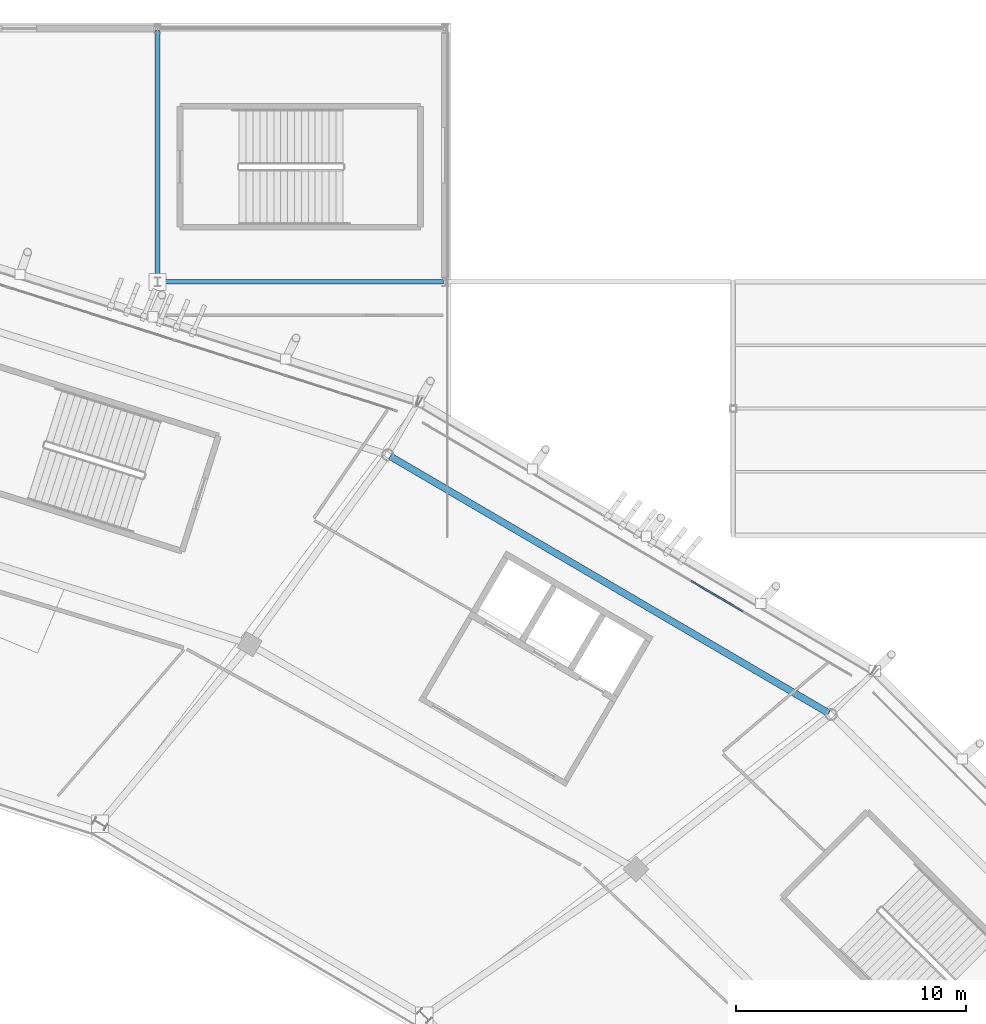
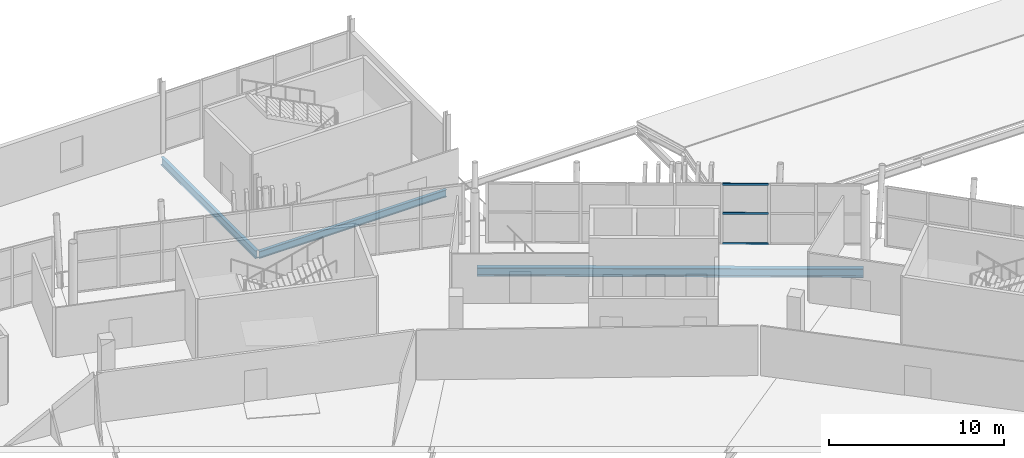
# One storey, part 84 of 179: 3 beams, 3 members, 1 element without a shape of its own.
"""IFC4 building model written with IfcOpenShell, lengths in metres."""

import ifcopenshell
import ifcopenshell.guid

model = None  # the IFC model being written
_history = None  # IfcOwnerHistory: only IFC2X3 demands one
_inside = {}  # id of a spatial element -> (the spatial element, [elements in it])
_under = {}  # id of a project, library or spatial element -> (it, [spatial elements below it])
_declared = {}  # id of a project -> (the project, [libraries it declares])
_typed = {}  # id of a type object -> (the type object, [elements of that type])
_made_of = {}  # id of a material, layer set ... -> (it, [elements and type objects made of it])


def new_model(schema):
    """Start an empty IFC model of exactly this schema.

    Asked for "IFC4X3", IfcOpenShell would pick the latest addendum, in which some entities
    have other attributes; the version numbers below select the first issue.
    IFC2X3 requires an IfcOwnerHistory on every rooted entity: one is made here for all.
    """
    global model, _history
    if schema == "IFC4X3":
        model = ifcopenshell.file(schema_version=(4, 3, 0, 0))
    else:
        model = ifcopenshell.file(schema=schema)
    _inside.clear()
    _under.clear()
    _declared.clear()
    _typed.clear()
    _made_of.clear()
    _history = None
    if model.schema == "IFC2X3":
        org = make("IfcOrganization", Name="unknown")
        user = make(
            "IfcPersonAndOrganization",
            ThePerson=make("IfcPerson", FamilyName="unknown"),
            TheOrganization=org,
        )
        app = make(
            "IfcApplication",
            ApplicationDeveloper=org,
            Version="unknown",
            ApplicationFullName="unknown",
            ApplicationIdentifier="unknown",
        )
        _history = make(
            "IfcOwnerHistory",
            OwningUser=user,
            OwningApplication=app,
            ChangeAction="ADDED",
            CreationDate=0,
        )
    return model


def make(cls, **values):
    """One entity of the class cls with the attributes given. An attribute that is None is left unset."""
    return model.create_entity(
        cls, **{name: value for name, value in values.items() if value is not None}
    )


def rooted(cls, **values):
    """An entity with a GlobalId (a new one), such as an element, a storey or a relation."""
    return make(cls, GlobalId=ifcopenshell.guid.new(), OwnerHistory=_history, **values)


def si_unit(unit_type, name, prefix=None):
    """IfcSIUnit, for example si_unit("LENGTHUNIT", "METRE", prefix="MILLI")."""
    return make("IfcSIUnit", UnitType=unit_type, Prefix=prefix, Name=name)


def assignment(units):
    """IfcUnitAssignment: the units of a project."""
    return None if units is None else make("IfcUnitAssignment", Units=units)


def point(xyz):
    """IfcCartesianPoint."""
    return None if xyz is None else make("IfcCartesianPoint", Coordinates=xyz)


def direction(xyz):
    """IfcDirection."""
    return None if xyz is None else make("IfcDirection", DirectionRatios=xyz)


def frame(location, z_axis=None, x_axis=None):
    """IfcAxis2Placement3D, a coordinate frame: its origin and axes. An axis left out is left unset."""
    return make(
        "IfcAxis2Placement3D",
        Location=point(location),
        Axis=direction(z_axis),
        RefDirection=direction(x_axis),
    )


def frame_2d(location, x_axis=None):
    """IfcAxis2Placement2D, a coordinate frame in the plane: its origin and x axis."""
    return make(
        "IfcAxis2Placement2D", Location=point(location), RefDirection=direction(x_axis)
    )


def origin():
    """The frame at (0, 0, 0) with its axes left unset."""
    return frame((0.0, 0.0, 0.0))


def origin_2d():
    """The frame at (0, 0) in the plane with its x axis left unset."""
    return frame_2d((0.0, 0.0))


def place(relative_to, where):
    """IfcLocalPlacement: puts the frame where relative to a parent placement (None: the world)."""
    return make(
        "IfcLocalPlacement", PlacementRelTo=relative_to, RelativePlacement=where
    )


def context(
    kind, dimensions, precision=None, world=None, true_north=None, identifier=None
):
    """IfcGeometricRepresentationContext, for example the 3D "Model" context."""
    return make(
        "IfcGeometricRepresentationContext",
        ContextIdentifier=identifier,
        ContextType=kind,
        CoordinateSpaceDimension=dimensions,
        Precision=precision,
        WorldCoordinateSystem=world,
        TrueNorth=true_north,
    )


def subcontext(parent, identifier, kind, view, scale=None):
    """IfcGeometricRepresentationSubContext, for example "Body" below "Model"."""
    return make(
        "IfcGeometricRepresentationSubContext",
        ContextIdentifier=identifier,
        ContextType=kind,
        ParentContext=parent,
        TargetScale=scale,
        TargetView=view,
    )


def project(units=None, contexts=None):
    """IfcProject with its units and contexts."""
    return rooted(
        "IfcProject",
        Name="project",
        RepresentationContexts=contexts,
        UnitsInContext=assignment(units),
    )


def spatial(cls, under=None, at=None, **own):
    """A site, building, storey or space (cls), placed at a placement, below another one or the project."""
    s = rooted(cls, ObjectPlacement=at, **own)
    if under is not None:
        _under.setdefault(under.id(), (under, []))[1].append(s)
    return s


def profile(cls, at=None, kind="AREA", **sizes):
    """A parametric profile (cls). Its sizes go by their IFC names, for example OverallWidth=200.0."""
    return make(cls, ProfileType=kind, Position=at, **sizes)


def rectangle(**sizes):
    """IfcRectangleProfileDef."""
    return profile("IfcRectangleProfileDef", **sizes)


def i_section(**sizes):
    """IfcIShapeProfileDef."""
    return profile("IfcIShapeProfileDef", **sizes)


def extrude(swept, where, along, depth):
    """IfcExtrudedAreaSolid: the profile swept, set in the frame where, extruded along a direction by depth."""
    return make(
        "IfcExtrudedAreaSolid",
        SweptArea=swept,
        Position=where,
        ExtrudedDirection=direction(along),
        Depth=depth,
    )


def shape(context_of_items, identifier, shape_type, items):
    """IfcShapeRepresentation: the items that make up one representation, for example the "Body"."""
    return make(
        "IfcShapeRepresentation",
        ContextOfItems=context_of_items,
        RepresentationIdentifier=identifier,
        RepresentationType=shape_type,
        Items=items,
    )


def material(Name=None, Category=None):
    """IfcMaterial."""
    return make("IfcMaterial", Name=Name, Category=Category)


def material_profile(
    of_material, cross_section, Name=None, Category=None, Priority=None
):
    """IfcMaterialProfile: a cross section and its material."""
    return make(
        "IfcMaterialProfile",
        Name=Name,
        Material=of_material,
        Profile=cross_section,
        Priority=Priority,
        Category=Category,
    )


def profile_set(profiles, Name=None, composite=None):
    """IfcMaterialProfileSet."""
    return make(
        "IfcMaterialProfileSet",
        Name=Name,
        MaterialProfiles=profiles,
        CompositeProfile=composite,
    )


def made_of(thing, what):
    """Note that an element or type object is made of a material, layer set ...; save() writes the relation."""
    if what is not None:
        _made_of.setdefault(what.id(), (what, []))[1].append(thing)
    return thing


def type_object(cls, material=None, **own):
    """A type object (cls), such as IfcWallType, which elements share."""
    return made_of(rooted(cls, **own), material)


def element(
    cls,
    number,
    at=None,
    inside=None,
    cuts=None,
    type_object=None,
    material=None,
    context=None,
    identifier="Body",
    shape_type=None,
    held_by="IfcProductDefinitionShape",
    body=None,
    shapes=None,
    **own,
):
    """One element of the class cls, such as IfcWall. Its Tag is "e" and its number.

    at: its placement. inside: the storey or other place that contains it. cuts: it is an
    opening in that element (IfcRelVoidsElement). A single representation is given by context,
    identifier, shape_type and body (its items); several are given by shapes. held_by: the class
    of the entity that holds the representations. save() writes the other relations.
    """
    e = rooted(cls, Tag="e%d" % number, ObjectPlacement=at, **own)
    if body is not None:
        shapes = [shape(context, identifier, shape_type, body)]
    if shapes is not None:
        e.Representation = make(held_by, Representations=shapes)
    if inside is not None:
        _inside.setdefault(inside.id(), (inside, []))[1].append(e)
    if cuts is not None:
        rooted(
            "IfcRelVoidsElement", RelatingBuildingElement=cuts, RelatedOpeningElement=e
        )
    if type_object is not None:
        _typed.setdefault(type_object.id(), (type_object, []))[1].append(e)
    return made_of(e, material)


def aggregate(whole, parts):
    """IfcRelAggregates: a whole, such as a stair, and the parts it consists of."""
    return rooted("IfcRelAggregates", RelatingObject=whole, RelatedObjects=parts)


def save(model, path):
    """Write the relations noted so far, then the file.

    IfcRelAggregates (storeys below a building ...), IfcRelContainedInSpatialStructure (elements
    in a storey), IfcRelDefinesByType, IfcRelAssociatesMaterial and IfcRelDeclares: one each for
    every whole, place, type object, material and project.
    """
    for whole, parts in _under.values():
        aggregate(whole, parts)
    for where, things in _inside.values():
        rooted(
            "IfcRelContainedInSpatialStructure",
            RelatedElements=things,
            RelatingStructure=where,
        )
    for kind, things in _typed.values():
        rooted("IfcRelDefinesByType", RelatedObjects=things, RelatingType=kind)
    for what, things in _made_of.values():
        rooted("IfcRelAssociatesMaterial", RelatedObjects=things, RelatingMaterial=what)
    for by, libraries in _declared.values():
        rooted("IfcRelDeclares", RelatingContext=by, RelatedDefinitions=libraries)
    model.write(path)


model = new_model("IFC4")

# Units and contexts
model_context = context("Model", 3, precision=1e-05, world=origin(), true_north=direction((0.0, 1.0)))
body_context = subcontext(model_context, "Body", "Model", "MODEL_VIEW")
ifc_project = project(units=[si_unit("LENGTHUNIT", "METRE"), si_unit("AREAUNIT", "SQUARE_METRE"), si_unit("VOLUMEUNIT", "CUBIC_METRE"), si_unit("PLANEANGLEUNIT", "RADIAN"), si_unit("MASSUNIT", "GRAM", prefix="KILO")], contexts=[model_context])

# Site, building, storey
site_placement = place(None, origin())
site = spatial("IfcSite", under=ifc_project, at=site_placement, CompositionType="ELEMENT")
building_placement = place(site_placement, origin())
building = spatial("IfcBuilding", under=site, at=building_placement, Name="Zlatoyarsky Gate Stadium", CompositionType="ELEMENT")
storey_placement = place(building_placement, frame((0.0, 0.0, 10.60009765625)))
storey = spatial("IfcBuildingStorey", under=building, at=storey_placement, Name="L02", CompositionType="ELEMENT", Elevation=10.60009765625)

# Curtain wall, members
ifc_material_1 = material(Name="Thermally broken anodised aluminium curtain wall", Category="aluminium")
curtain_wall_type = type_object("IfcCurtainWallType", Name="UNITISED HOSPITALITY GLAZING L02", PredefinedType="USERDEFINED", material=ifc_material_1)
curtain_wall_placement = place(storey_placement, origin())
curtain_wall = element("IfcCurtainWall", 1, at=curtain_wall_placement, inside=storey, type_object=curtain_wall_type, Name="Curtain wall CW-L02-03", ObjectType="UNITISED GLAZING", PredefinedType="USERDEFINED")
ifc_material_2 = material(Name="Anodised aluminium 6063-T6", Category="aluminium")
ifc_material_profile_1 = material_profile(ifc_material_2, rectangle(XDim=0.06494140625, YDim=0.139892578125, at=origin_2d()), Name="ALU 65X140")
ifc_profile_set_1 = profile_set([ifc_material_profile_1], Name="Anodised aluminium 6063-T6")
member_type = type_object("IfcMemberType", Name="ALUMINIUM TRANSOM 65X140", PredefinedType="USERDEFINED", material=ifc_profile_set_1)
member_1_placement = place(storey_placement, frame((172.9326171875, 134.6826171875, 0.032470703125), z_axis=(-0.861396142351, 0.507933741686, 0.0), x_axis=(-0.507933741686, -0.861396142351, 0.0)))
member_1 = element("IfcMember", 2, at=member_1_placement, type_object=member_type, Name="CW-UG2 transom 3.1", ObjectType="TRANSOM", PredefinedType="USERDEFINED", context=body_context, shape_type="SweptSolid", body=[
    extrude(rectangle(XDim=0.06494140625, YDim=0.139892578125, at=origin_2d()), origin(), (0.0, 0.0, 1.0), 2.626708984375),
])
member_2_placement = place(storey_placement, frame((172.9326171875, 134.6826171875, 2.14990234375), z_axis=(-0.861396142351, 0.507933741686, 0.0), x_axis=(-0.507933741686, -0.861396142351, 0.0)))
member_2 = element("IfcMember", 3, at=member_2_placement, type_object=member_type, Name="CW-UG2 transom 3.2", ObjectType="TRANSOM", PredefinedType="USERDEFINED", context=body_context, shape_type="SweptSolid", body=[
    extrude(rectangle(XDim=0.06494140625, YDim=0.139892578125, at=origin_2d()), origin(), (0.0, 0.0, 1.0), 2.626708984375),
])
member_3_placement = place(storey_placement, frame((172.9326171875, 134.6826171875, 4.16748046875), z_axis=(-0.861396142351, 0.507933741686, 0.0), x_axis=(-0.507933741686, -0.861396142351, 0.0)))
member_3 = element("IfcMember", 4, at=member_3_placement, type_object=member_type, Name="CW-UG2 transom 3.3", ObjectType="TRANSOM", PredefinedType="USERDEFINED", context=body_context, shape_type="SweptSolid", body=[
    extrude(rectangle(XDim=0.06494140625, YDim=0.139892578125, at=origin_2d()), origin(), (0.0, 0.0, 1.0), 2.626708984375),
])
aggregate(curtain_wall, [member_1, member_2, member_3])

# Beams
ifc_material_3 = material(Name="Steel S355", Category="steel")
ifc_material_profile_2 = material_profile(ifc_material_3, i_section(OverallWidth=0.199951171875, OverallDepth=0.5, WebThickness=0.01025390625, FlangeThickness=0.01611328125, FilletRadius=0.02099609375, at=origin_2d()), Name="IPE 500")
ifc_profile_set_2 = profile_set([ifc_material_profile_2], Name="Steel S355")
beam_type_1 = type_object("IfcBeamType", Name="STEEL FLOOR BEAM IPE 500", PredefinedType="BEAM", material=ifc_profile_set_2)
beam_1_placement = place(storey_placement, frame((147.580078125, 149.0, -0.530029296875), z_axis=(1.0, 0.0, 0.0), x_axis=(0.0, 1.0, 0.0)))
element("IfcBeam", 5, at=beam_1_placement, inside=storey, type_object=beam_type_1, Name="Beam B-IPE500 BM-L02-WGX-13-P", PredefinedType="BEAM", context=body_context, shape_type="SweptSolid", body=[
    extrude(i_section(OverallWidth=0.199951171875, OverallDepth=0.5, WebThickness=0.01025390625, FlangeThickness=0.01611328125, FilletRadius=0.02099609375, at=origin_2d()), origin(), (0.0, 0.0, 1.0), 12.33984375),
])
ifc_material_profile_3 = material_profile(ifc_material_3, i_section(OverallWidth=0.2099609375, OverallDepth=0.550048828125, WebThickness=0.010986328125, FlangeThickness=0.01708984375, FilletRadius=0.02392578125, at=origin_2d()), Name="IPE 550")
ifc_profile_set_3 = profile_set([ifc_material_profile_3], Name="Steel S355")
beam_type_2 = type_object("IfcBeamType", Name="STEEL FLOOR BEAM IPE 550", PredefinedType="BEAM", material=ifc_profile_set_3)
beam_2_placement = place(storey_placement, frame((147.5, 149.080078125, -0.55517578125), z_axis=(0.0, 1.0, 0.0), x_axis=(-1.0, 0.0, 0.0)))
element("IfcBeam", 6, at=beam_2_placement, inside=storey, type_object=beam_type_2, Name="Beam B-IPE550 BM-L02-WGY-13-P", PredefinedType="BEAM", context=body_context, shape_type="SweptSolid", body=[
    extrude(i_section(OverallWidth=0.2099609375, OverallDepth=0.550048828125, WebThickness=0.010986328125, FlangeThickness=0.01708984375, FilletRadius=0.02392578125, at=origin_2d()), origin(), (0.0, 0.0, 1.0), 10.83984375),
])
ifc_material_profile_4 = material_profile(ifc_material_3, i_section(OverallWidth=0.300048828125, OverallDepth=0.60009765625, WebThickness=0.015380859375, FlangeThickness=0.030029296875, FilletRadius=0.027099609375, at=origin_2d()), Name="HEB 600")
ifc_profile_set_4 = profile_set([ifc_material_profile_4], Name="Steel S355")
beam_type_3 = type_object("IfcBeamType", Name="STEEL PRIMARY GIRDER HEB 600", PredefinedType="BEAM", material=ifc_profile_set_4)
beam_3_placement = place(storey_placement, frame((176.657470703125, 130.265380859375, -0.580078125), z_axis=(-0.862854775092, 0.505451913738, 0.0), x_axis=(-0.505451913738, -0.862854775092, 0.0)))
element("IfcBeam", 7, at=beam_3_placement, inside=storey, type_object=beam_type_3, Name="Beam G-HEB600 BM-L02-CRC-03", PredefinedType="BEAM", context=body_context, shape_type="SweptSolid", body=[
    extrude(i_section(OverallWidth=0.300048828125, OverallDepth=0.60009765625, WebThickness=0.015380859375, FlangeThickness=0.030029296875, FilletRadius=0.027099609375, at=origin_2d()), origin(), (0.0, 0.0, 1.0), 22.08251953125),
])

save(model, "model.ifc")
